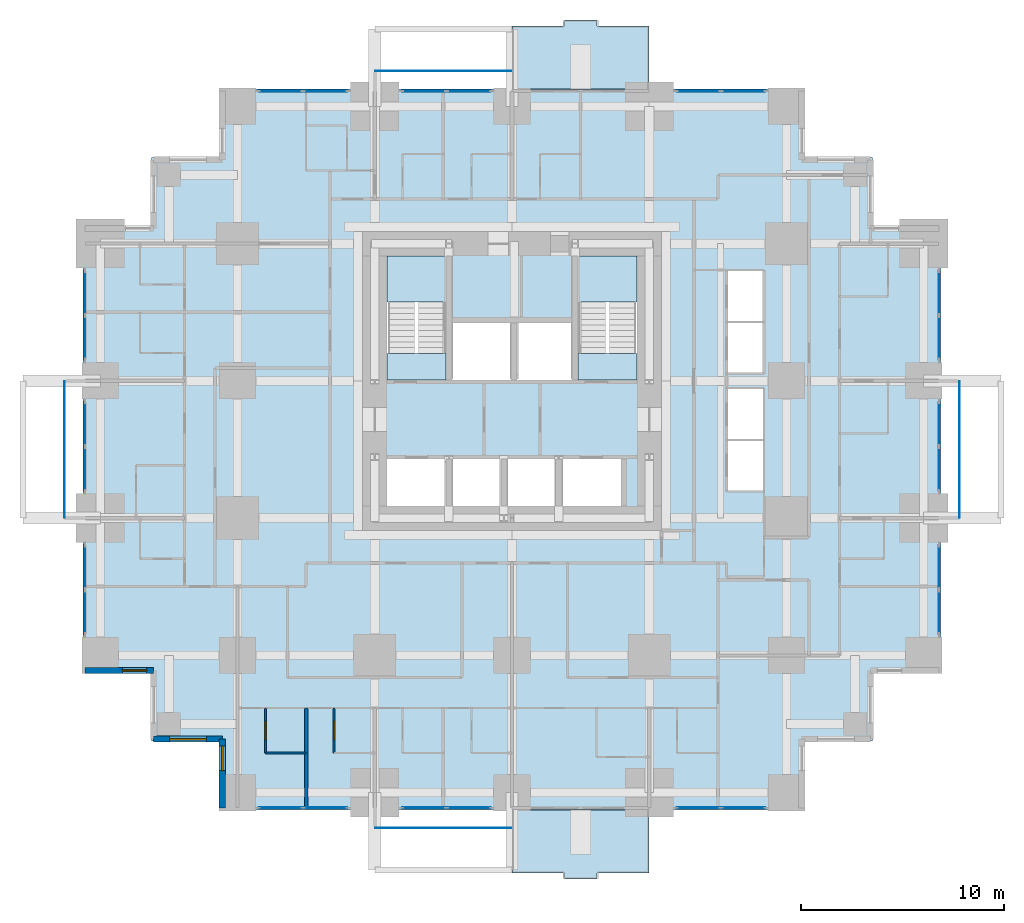
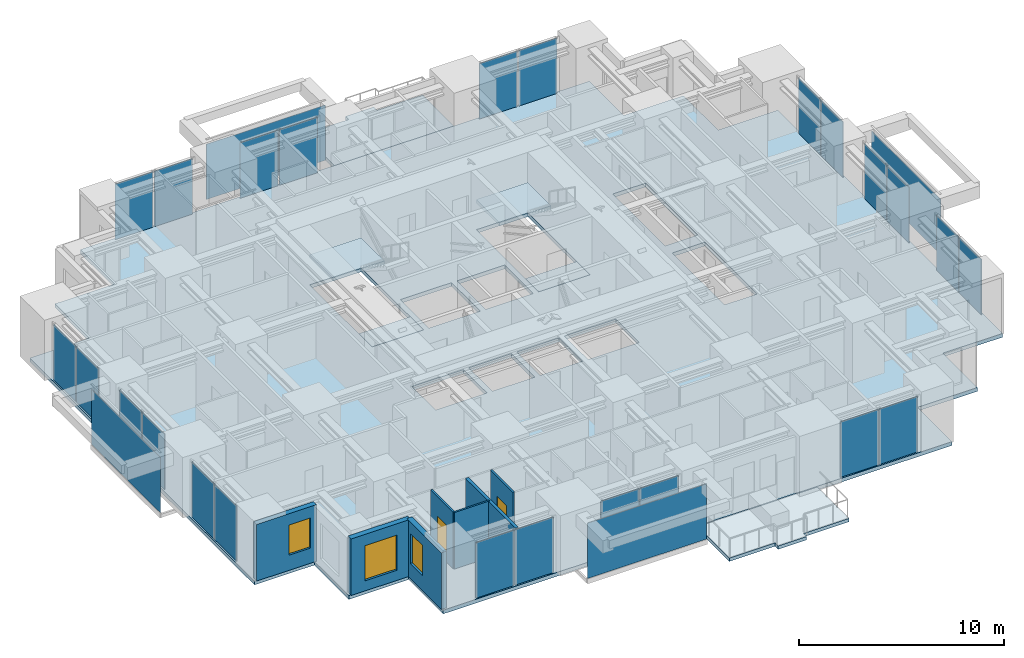
# One storey, part 6 of 13: 28 plates, 7 slabs, 7 walls, 3 windows, 2 doors, 5 openings, 14 elements without a shape of their own.
"""IFC4 building model written with IfcOpenShell, lengths in metres."""

import ifcopenshell
import ifcopenshell.guid

model = None  # the IFC model being written
_history = None  # IfcOwnerHistory: only IFC2X3 demands one
_inside = {}  # id of a spatial element -> (the spatial element, [elements in it])
_under = {}  # id of a project, library or spatial element -> (it, [spatial elements below it])
_declared = {}  # id of a project -> (the project, [libraries it declares])
_typed = {}  # id of a type object -> (the type object, [elements of that type])
_made_of = {}  # id of a material, layer set ... -> (it, [elements and type objects made of it])


def new_model(schema):
    """Start an empty IFC model of exactly this schema.

    Asked for "IFC4X3", IfcOpenShell would pick the latest addendum, in which some entities
    have other attributes; the version numbers below select the first issue.
    IFC2X3 requires an IfcOwnerHistory on every rooted entity: one is made here for all.
    """
    global model, _history
    if schema == "IFC4X3":
        model = ifcopenshell.file(schema_version=(4, 3, 0, 0))
    else:
        model = ifcopenshell.file(schema=schema)
    _inside.clear()
    _under.clear()
    _declared.clear()
    _typed.clear()
    _made_of.clear()
    _history = None
    if model.schema == "IFC2X3":
        org = make("IfcOrganization", Name="unknown")
        user = make(
            "IfcPersonAndOrganization",
            ThePerson=make("IfcPerson", FamilyName="unknown"),
            TheOrganization=org,
        )
        app = make(
            "IfcApplication",
            ApplicationDeveloper=org,
            Version="unknown",
            ApplicationFullName="unknown",
            ApplicationIdentifier="unknown",
        )
        _history = make(
            "IfcOwnerHistory",
            OwningUser=user,
            OwningApplication=app,
            ChangeAction="ADDED",
            CreationDate=0,
        )
    return model


def make(cls, **values):
    """One entity of the class cls with the attributes given. An attribute that is None is left unset."""
    return model.create_entity(
        cls, **{name: value for name, value in values.items() if value is not None}
    )


def rooted(cls, **values):
    """An entity with a GlobalId (a new one), such as an element, a storey or a relation."""
    return make(cls, GlobalId=ifcopenshell.guid.new(), OwnerHistory=_history, **values)


def si_unit(unit_type, name, prefix=None):
    """IfcSIUnit, for example si_unit("LENGTHUNIT", "METRE", prefix="MILLI")."""
    return make("IfcSIUnit", UnitType=unit_type, Prefix=prefix, Name=name)


def assignment(units):
    """IfcUnitAssignment: the units of a project."""
    return None if units is None else make("IfcUnitAssignment", Units=units)


def point(xyz):
    """IfcCartesianPoint."""
    return None if xyz is None else make("IfcCartesianPoint", Coordinates=xyz)


def direction(xyz):
    """IfcDirection."""
    return None if xyz is None else make("IfcDirection", DirectionRatios=xyz)


def frame(location, z_axis=None, x_axis=None):
    """IfcAxis2Placement3D, a coordinate frame: its origin and axes. An axis left out is left unset."""
    return make(
        "IfcAxis2Placement3D",
        Location=point(location),
        Axis=direction(z_axis),
        RefDirection=direction(x_axis),
    )


def frame_2d(location, x_axis=None):
    """IfcAxis2Placement2D, a coordinate frame in the plane: its origin and x axis."""
    return make(
        "IfcAxis2Placement2D", Location=point(location), RefDirection=direction(x_axis)
    )


def origin():
    """The frame at (0, 0, 0) with its axes left unset."""
    return frame((0.0, 0.0, 0.0))


def origin_2d():
    """The frame at (0, 0) in the plane with its x axis left unset."""
    return frame_2d((0.0, 0.0))


def place(relative_to, where):
    """IfcLocalPlacement: puts the frame where relative to a parent placement (None: the world)."""
    return make(
        "IfcLocalPlacement", PlacementRelTo=relative_to, RelativePlacement=where
    )


def context(
    kind, dimensions, precision=None, world=None, true_north=None, identifier=None
):
    """IfcGeometricRepresentationContext, for example the 3D "Model" context."""
    return make(
        "IfcGeometricRepresentationContext",
        ContextIdentifier=identifier,
        ContextType=kind,
        CoordinateSpaceDimension=dimensions,
        Precision=precision,
        WorldCoordinateSystem=world,
        TrueNorth=true_north,
    )


def subcontext(parent, identifier, kind, view, scale=None):
    """IfcGeometricRepresentationSubContext, for example "Body" below "Model"."""
    return make(
        "IfcGeometricRepresentationSubContext",
        ContextIdentifier=identifier,
        ContextType=kind,
        ParentContext=parent,
        TargetScale=scale,
        TargetView=view,
    )


def project(units=None, contexts=None):
    """IfcProject with its units and contexts."""
    return rooted(
        "IfcProject",
        Name="project",
        RepresentationContexts=contexts,
        UnitsInContext=assignment(units),
    )


def spatial(cls, under=None, at=None, **own):
    """A site, building, storey or space (cls), placed at a placement, below another one or the project."""
    s = rooted(cls, ObjectPlacement=at, **own)
    if under is not None:
        _under.setdefault(under.id(), (under, []))[1].append(s)
    return s


def polyline(points):
    """IfcPolyline through the points."""
    return make("IfcPolyline", Points=[point(p) for p in points])


def profile(cls, at=None, kind="AREA", **sizes):
    """A parametric profile (cls). Its sizes go by their IFC names, for example OverallWidth=200.0."""
    return make(cls, ProfileType=kind, Position=at, **sizes)


def rectangle(**sizes):
    """IfcRectangleProfileDef."""
    return profile("IfcRectangleProfileDef", **sizes)


def outline(outer, holes=None, kind="AREA"):
    """IfcArbitraryClosedProfileDef: a profile drawn as a closed curve; with holes, ...WithVoids."""
    if holes is None:
        return make("IfcArbitraryClosedProfileDef", ProfileType=kind, OuterCurve=outer)
    return make(
        "IfcArbitraryProfileDefWithVoids",
        ProfileType=kind,
        OuterCurve=outer,
        InnerCurves=holes,
    )


def extrude(swept, where, along, depth):
    """IfcExtrudedAreaSolid: the profile swept, set in the frame where, extruded along a direction by depth."""
    return make(
        "IfcExtrudedAreaSolid",
        SweptArea=swept,
        Position=where,
        ExtrudedDirection=direction(along),
        Depth=depth,
    )


def shape(context_of_items, identifier, shape_type, items):
    """IfcShapeRepresentation: the items that make up one representation, for example the "Body"."""
    return make(
        "IfcShapeRepresentation",
        ContextOfItems=context_of_items,
        RepresentationIdentifier=identifier,
        RepresentationType=shape_type,
        Items=items,
    )


def material(Name=None, Category=None):
    """IfcMaterial."""
    return make("IfcMaterial", Name=Name, Category=Category)


def layer(
    of_material, thickness, ventilated=None, Name=None, Category=None, Priority=None
):
    """IfcMaterialLayer: one layer of a wall or slab, of a material (None: an air gap)."""
    return make(
        "IfcMaterialLayer",
        Material=of_material,
        LayerThickness=thickness,
        IsVentilated=ventilated,
        Name=Name,
        Category=Category,
        Priority=Priority,
    )


def layer_set(layers, Name=None):
    """IfcMaterialLayerSet."""
    return make("IfcMaterialLayerSet", MaterialLayers=layers, LayerSetName=Name)


def made_of(thing, what):
    """Note that an element or type object is made of a material, layer set ...; save() writes the relation."""
    if what is not None:
        _made_of.setdefault(what.id(), (what, []))[1].append(thing)
    return thing


def type_object(cls, material=None, **own):
    """A type object (cls), such as IfcWallType, which elements share."""
    return made_of(rooted(cls, **own), material)


def element(
    cls,
    number,
    at=None,
    inside=None,
    cuts=None,
    type_object=None,
    material=None,
    context=None,
    identifier="Body",
    shape_type=None,
    held_by="IfcProductDefinitionShape",
    body=None,
    shapes=None,
    **own,
):
    """One element of the class cls, such as IfcWall. Its Tag is "e" and its number.

    at: its placement. inside: the storey or other place that contains it. cuts: it is an
    opening in that element (IfcRelVoidsElement). A single representation is given by context,
    identifier, shape_type and body (its items); several are given by shapes. held_by: the class
    of the entity that holds the representations. save() writes the other relations.
    """
    e = rooted(cls, Tag="e%d" % number, ObjectPlacement=at, **own)
    if body is not None:
        shapes = [shape(context, identifier, shape_type, body)]
    if shapes is not None:
        e.Representation = make(held_by, Representations=shapes)
    if inside is not None:
        _inside.setdefault(inside.id(), (inside, []))[1].append(e)
    if cuts is not None:
        rooted(
            "IfcRelVoidsElement", RelatingBuildingElement=cuts, RelatedOpeningElement=e
        )
    if type_object is not None:
        _typed.setdefault(type_object.id(), (type_object, []))[1].append(e)
    return made_of(e, material)


def fill(opening, filler):
    """IfcRelFillsElement: the door or window that sits in an opening."""
    return rooted(
        "IfcRelFillsElement",
        RelatingOpeningElement=opening,
        RelatedBuildingElement=filler,
    )


def aggregate(whole, parts):
    """IfcRelAggregates: a whole, such as a stair, and the parts it consists of."""
    return rooted("IfcRelAggregates", RelatingObject=whole, RelatedObjects=parts)


def save(model, path):
    """Write the relations noted so far, then the file.

    IfcRelAggregates (storeys below a building ...), IfcRelContainedInSpatialStructure (elements
    in a storey), IfcRelDefinesByType, IfcRelAssociatesMaterial and IfcRelDeclares: one each for
    every whole, place, type object, material and project.
    """
    for whole, parts in _under.values():
        aggregate(whole, parts)
    for where, things in _inside.values():
        rooted(
            "IfcRelContainedInSpatialStructure",
            RelatedElements=things,
            RelatingStructure=where,
        )
    for kind, things in _typed.values():
        rooted("IfcRelDefinesByType", RelatedObjects=things, RelatingType=kind)
    for what, things in _made_of.values():
        rooted("IfcRelAssociatesMaterial", RelatedObjects=things, RelatingMaterial=what)
    for by, libraries in _declared.values():
        rooted("IfcRelDeclares", RelatingContext=by, RelatedDefinitions=libraries)
    model.write(path)


model = new_model("IFC4")

# Units and contexts
model_context = context("Model", 3, precision=1e-05, world=origin(), true_north=direction((0.0, 1.0)))
body_context = subcontext(model_context, "Body", "Model", "MODEL_VIEW")
ifc_project = project(units=[si_unit("LENGTHUNIT", "METRE"), si_unit("AREAUNIT", "SQUARE_METRE"), si_unit("VOLUMEUNIT", "CUBIC_METRE"), si_unit("PLANEANGLEUNIT", "RADIAN"), si_unit("MASSUNIT", "GRAM", prefix="KILO")], contexts=[model_context])

# Site, building, storey
site_placement = place(None, origin())
site = spatial("IfcSite", under=ifc_project, at=site_placement, CompositionType="ELEMENT")
building_placement = place(site_placement, origin())
building = spatial("IfcBuilding", under=site, at=building_placement, Name="Nyansa Garden Tower", CompositionType="ELEMENT")
storey_placement = place(building_placement, frame((0.0, 0.0, 83.699951171875)))
storey = spatial("IfcBuildingStorey", under=building, at=storey_placement, Name="L22", CompositionType="ELEMENT", Elevation=83.699951171875)

# Slabs
ifc_material_1 = material(Name="Concrete C40/50", Category="concrete")
ifc_layer_1 = layer(ifc_material_1, 0.199951171875)
ifc_layer_set_1 = layer_set([ifc_layer_1], Name="Balcony slab BS200")
slab_type_1 = type_object("IfcSlabType", Name="Balcony slab BS200", PredefinedType="FLOOR", material=ifc_layer_set_1)
slab_1_placement = place(storey_placement, frame((0.0, 0.0, -0.239990234375)))
element("IfcSlab", 1, at=slab_1_placement, inside=storey, type_object=slab_type_1, Name="Balcony L22 S", PredefinedType="FLOOR", context=body_context, shape_type="SweptSolid", body=[
    extrude(outline(polyline([(20.25, -0.85009765625), (27.0, -0.85009765625), (27.0, -3.949951171875), (24.425048828125, -3.949951171875), (24.425048828125, -4.25), (22.824951171875, -4.25), (22.824951171875, -3.949951171875), (20.25, -3.949951171875), (20.25, -0.85009765625)])), origin(), (0.0, 0.0, 1.0), 0.199951171875),
])
slab_2_placement = place(storey_placement, frame((0.0, 0.0, -0.239990234375)))
element("IfcSlab", 2, at=slab_2_placement, inside=storey, type_object=slab_type_1, Name="Balcony L22 N", PredefinedType="FLOOR", context=body_context, shape_type="SweptSolid", body=[
    extrude(outline(polyline([(20.25, 34.60009765625), (27.0, 34.60009765625), (27.0, 37.699951171875), (24.425048828125, 37.699951171875), (24.425048828125, 38.0), (22.824951171875, 38.0), (22.824951171875, 37.699951171875), (20.25, 37.699951171875), (20.25, 34.60009765625)])), origin(), (0.0, 0.0, 1.0), 0.199951171875),
])

# Curtain wall, plates
ifc_material_2 = material(Name="Black anodised aluminium, dark tinted double glazing", Category="aluminium")
curtain_wall_type = type_object("IfcCurtainWallType", Name="Inner skin curtain wall ISW-B", PredefinedType="USERDEFINED", material=ifc_material_2)
curtain_wall_1_placement = place(storey_placement, origin())
curtain_wall_1 = element("IfcCurtainWall", 3, at=curtain_wall_1_placement, inside=storey, type_object=curtain_wall_type, Name="Inner skin curtain wall L22 E", ObjectType="UNITISED CURTAIN WALL", PredefinedType="USERDEFINED")
ifc_material_3 = material(Name="Dark tinted laminated double glazing", Category="glass")
ifc_layer_2 = layer(ifc_material_3, 0.035888671875)
ifc_layer_set_2 = layer_set([ifc_layer_2], Name="Dark tinted vision panel VP-B")
plate_type_1 = type_object("IfcPlateType", Name="Dark tinted vision panel VP-B", PredefinedType="CURTAIN_PANEL", material=ifc_layer_set_2)
plate_1_placement = place(storey_placement, frame((41.25, 8.86865234375, 0.0), z_axis=(0.0, 0.0, 1.0), x_axis=(0.0, 1.0, 0.0)))
plate_1 = element("IfcPlate", 4, at=plate_1_placement, type_object=plate_type_1, Name="ISW-B panel 1", PredefinedType="CURTAIN_PANEL", context=body_context, shape_type="SweptSolid", body=[
    extrude(rectangle(XDim=2.1474609375, YDim=0.035888671875, at=origin_2d()), origin(), (0.0, 0.0, 1.0), 3.31005859375),
])
plate_2_placement = place(storey_placement, frame((41.25, 11.081298828125, 0.0), z_axis=(0.0, 0.0, 1.0), x_axis=(0.0, 1.0, 0.0)))
plate_2 = element("IfcPlate", 5, at=plate_2_placement, type_object=plate_type_1, Name="ISW-B panel 2", PredefinedType="CURTAIN_PANEL", context=body_context, shape_type="SweptSolid", body=[
    extrude(rectangle(XDim=2.1474609375, YDim=0.035888671875, at=origin_2d()), origin(), (0.0, 0.0, 1.0), 3.31005859375),
])
aggregate(curtain_wall_1, [plate_1, plate_2])

curtain_wall_2_placement = place(storey_placement, origin())
curtain_wall_2 = element("IfcCurtainWall", 6, at=curtain_wall_2_placement, inside=storey, type_object=curtain_wall_type, Name="Inner skin curtain wall L22 E", ObjectType="UNITISED CURTAIN WALL", PredefinedType="USERDEFINED")
plate_3_placement = place(storey_placement, frame((41.25, 15.918701171875, 0.0), z_axis=(0.0, 0.0, 1.0), x_axis=(0.0, 1.0, 0.0)))
plate_3 = element("IfcPlate", 7, at=plate_3_placement, type_object=plate_type_1, Name="ISW-B panel 1", PredefinedType="CURTAIN_PANEL", context=body_context, shape_type="SweptSolid", body=[
    extrude(rectangle(XDim=2.1474609375, YDim=0.035888671875, at=origin_2d()), origin(), (0.0, 0.0, 1.0), 3.31005859375),
])
plate_4_placement = place(storey_placement, frame((41.25, 18.13134765625, 0.0), z_axis=(0.0, 0.0, 1.0), x_axis=(0.0, 1.0, 0.0)))
plate_4 = element("IfcPlate", 8, at=plate_4_placement, type_object=plate_type_1, Name="ISW-B panel 2", PredefinedType="CURTAIN_PANEL", context=body_context, shape_type="SweptSolid", body=[
    extrude(rectangle(XDim=2.1474609375, YDim=0.035888671875, at=origin_2d()), origin(), (0.0, 0.0, 1.0), 3.31005859375),
])
aggregate(curtain_wall_2, [plate_3, plate_4])

curtain_wall_3_placement = place(storey_placement, origin())
curtain_wall_3 = element("IfcCurtainWall", 9, at=curtain_wall_3_placement, inside=storey, type_object=curtain_wall_type, Name="Inner skin curtain wall L22 E", ObjectType="UNITISED CURTAIN WALL", PredefinedType="USERDEFINED")
plate_5_placement = place(storey_placement, frame((41.25, 22.36865234375, 0.0), z_axis=(0.0, 0.0, 1.0), x_axis=(0.0, 1.0, 0.0)))
plate_5 = element("IfcPlate", 10, at=plate_5_placement, type_object=plate_type_1, Name="ISW-B panel 1", PredefinedType="CURTAIN_PANEL", context=body_context, shape_type="SweptSolid", body=[
    extrude(rectangle(XDim=2.1474609375, YDim=0.035888671875, at=origin_2d()), origin(), (0.0, 0.0, 1.0), 3.31005859375),
])
plate_6_placement = place(storey_placement, frame((41.25, 24.581298828125, 0.0), z_axis=(0.0, 0.0, 1.0), x_axis=(0.0, 1.0, 0.0)))
plate_6 = element("IfcPlate", 11, at=plate_6_placement, type_object=plate_type_1, Name="ISW-B panel 2", PredefinedType="CURTAIN_PANEL", context=body_context, shape_type="SweptSolid", body=[
    extrude(rectangle(XDim=2.1474609375, YDim=0.035888671875, at=origin_2d()), origin(), (0.0, 0.0, 1.0), 3.31005859375),
])
aggregate(curtain_wall_3, [plate_5, plate_6])

curtain_wall_4_placement = place(storey_placement, origin())
curtain_wall_4 = element("IfcCurtainWall", 12, at=curtain_wall_4_placement, inside=storey, type_object=curtain_wall_type, Name="Inner skin curtain wall L22 N", ObjectType="UNITISED CURTAIN WALL", PredefinedType="USERDEFINED")
plate_7_placement = place(storey_placement, frame((18.13134765625, 34.5, 0.0), z_axis=(0.0, 0.0, 1.0), x_axis=(-1.0, 0.0, 0.0)))
plate_7 = element("IfcPlate", 13, at=plate_7_placement, type_object=plate_type_1, Name="ISW-B panel 1", PredefinedType="CURTAIN_PANEL", context=body_context, shape_type="SweptSolid", body=[
    extrude(rectangle(XDim=2.1474609375, YDim=0.035888671875, at=origin_2d()), origin(), (0.0, 0.0, 1.0), 3.31005859375),
])
plate_8_placement = place(storey_placement, frame((15.918701171875, 34.5, 0.0), z_axis=(0.0, 0.0, 1.0), x_axis=(-1.0, 0.0, 0.0)))
plate_8 = element("IfcPlate", 14, at=plate_8_placement, type_object=plate_type_1, Name="ISW-B panel 2", PredefinedType="CURTAIN_PANEL", context=body_context, shape_type="SweptSolid", body=[
    extrude(rectangle(XDim=2.1474609375, YDim=0.035888671875, at=origin_2d()), origin(), (0.0, 0.0, 1.0), 3.31005859375),
])
aggregate(curtain_wall_4, [plate_7, plate_8])

curtain_wall_5_placement = place(storey_placement, origin())
curtain_wall_5 = element("IfcCurtainWall", 15, at=curtain_wall_5_placement, inside=storey, type_object=curtain_wall_type, Name="Inner skin curtain wall L22 N", ObjectType="UNITISED CURTAIN WALL", PredefinedType="USERDEFINED")
plate_9_placement = place(storey_placement, frame((11.081298828125, 34.5, 0.0), z_axis=(0.0, 0.0, 1.0), x_axis=(-1.0, 0.0, 0.0)))
plate_9 = element("IfcPlate", 16, at=plate_9_placement, type_object=plate_type_1, Name="ISW-B panel 1", PredefinedType="CURTAIN_PANEL", context=body_context, shape_type="SweptSolid", body=[
    extrude(rectangle(XDim=2.1474609375, YDim=0.035888671875, at=origin_2d()), origin(), (0.0, 0.0, 1.0), 3.31005859375),
])
plate_10_placement = place(storey_placement, frame((8.86865234375, 34.5, 0.0), z_axis=(0.0, 0.0, 1.0), x_axis=(-1.0, 0.0, 0.0)))
plate_10 = element("IfcPlate", 17, at=plate_10_placement, type_object=plate_type_1, Name="ISW-B panel 2", PredefinedType="CURTAIN_PANEL", context=body_context, shape_type="SweptSolid", body=[
    extrude(rectangle(XDim=2.1474609375, YDim=0.035888671875, at=origin_2d()), origin(), (0.0, 0.0, 1.0), 3.31005859375),
])
aggregate(curtain_wall_5, [plate_9, plate_10])

curtain_wall_6_placement = place(storey_placement, origin())
curtain_wall_6 = element("IfcCurtainWall", 18, at=curtain_wall_6_placement, inside=storey, type_object=curtain_wall_type, Name="Inner skin curtain wall L22 N", ObjectType="UNITISED CURTAIN WALL", PredefinedType="USERDEFINED")
plate_11_placement = place(storey_placement, frame((31.63134765625, 34.5, 0.0), z_axis=(0.0, 0.0, 1.0), x_axis=(-1.0, 0.0, 0.0)))
plate_11 = element("IfcPlate", 19, at=plate_11_placement, type_object=plate_type_1, Name="ISW-B panel 1", PredefinedType="CURTAIN_PANEL", context=body_context, shape_type="SweptSolid", body=[
    extrude(rectangle(XDim=2.1474609375, YDim=0.035888671875, at=origin_2d()), origin(), (0.0, 0.0, 1.0), 3.31005859375),
])
plate_12_placement = place(storey_placement, frame((29.418701171875, 34.5, 0.0), z_axis=(0.0, 0.0, 1.0), x_axis=(-1.0, 0.0, 0.0)))
plate_12 = element("IfcPlate", 20, at=plate_12_placement, type_object=plate_type_1, Name="ISW-B panel 2", PredefinedType="CURTAIN_PANEL", context=body_context, shape_type="SweptSolid", body=[
    extrude(rectangle(XDim=2.1474609375, YDim=0.035888671875, at=origin_2d()), origin(), (0.0, 0.0, 1.0), 3.31005859375),
])
aggregate(curtain_wall_6, [plate_11, plate_12])

curtain_wall_7_placement = place(storey_placement, origin())
curtain_wall_7 = element("IfcCurtainWall", 21, at=curtain_wall_7_placement, inside=storey, type_object=curtain_wall_type, Name="Inner skin curtain wall L22 W", ObjectType="UNITISED CURTAIN WALL", PredefinedType="USERDEFINED")
plate_13_placement = place(storey_placement, frame((-0.75, 24.581298828125, 0.0), z_axis=(0.0, 0.0, 1.0), x_axis=(0.0, -1.0, 0.0)))
plate_13 = element("IfcPlate", 22, at=plate_13_placement, type_object=plate_type_1, Name="ISW-B panel 1", PredefinedType="CURTAIN_PANEL", context=body_context, shape_type="SweptSolid", body=[
    extrude(rectangle(XDim=2.1474609375, YDim=0.035888671875, at=origin_2d()), origin(), (0.0, 0.0, 1.0), 3.31005859375),
])
plate_14_placement = place(storey_placement, frame((-0.75, 22.36865234375, 0.0), z_axis=(0.0, 0.0, 1.0), x_axis=(0.0, -1.0, 0.0)))
plate_14 = element("IfcPlate", 23, at=plate_14_placement, type_object=plate_type_1, Name="ISW-B panel 2", PredefinedType="CURTAIN_PANEL", context=body_context, shape_type="SweptSolid", body=[
    extrude(rectangle(XDim=2.1474609375, YDim=0.035888671875, at=origin_2d()), origin(), (0.0, 0.0, 1.0), 3.31005859375),
])
aggregate(curtain_wall_7, [plate_13, plate_14])

curtain_wall_8_placement = place(storey_placement, origin())
curtain_wall_8 = element("IfcCurtainWall", 24, at=curtain_wall_8_placement, inside=storey, type_object=curtain_wall_type, Name="Inner skin curtain wall L22 W", ObjectType="UNITISED CURTAIN WALL", PredefinedType="USERDEFINED")
plate_15_placement = place(storey_placement, frame((-0.75, 18.13134765625, 0.0), z_axis=(0.0, 0.0, 1.0), x_axis=(0.0, -1.0, 0.0)))
plate_15 = element("IfcPlate", 25, at=plate_15_placement, type_object=plate_type_1, Name="ISW-B panel 1", PredefinedType="CURTAIN_PANEL", context=body_context, shape_type="SweptSolid", body=[
    extrude(rectangle(XDim=2.1474609375, YDim=0.035888671875, at=origin_2d()), origin(), (0.0, 0.0, 1.0), 3.31005859375),
])
plate_16_placement = place(storey_placement, frame((-0.75, 15.918701171875, 0.0), z_axis=(0.0, 0.0, 1.0), x_axis=(0.0, -1.0, 0.0)))
plate_16 = element("IfcPlate", 26, at=plate_16_placement, type_object=plate_type_1, Name="ISW-B panel 2", PredefinedType="CURTAIN_PANEL", context=body_context, shape_type="SweptSolid", body=[
    extrude(rectangle(XDim=2.1474609375, YDim=0.035888671875, at=origin_2d()), origin(), (0.0, 0.0, 1.0), 3.31005859375),
])
aggregate(curtain_wall_8, [plate_15, plate_16])

curtain_wall_9_placement = place(storey_placement, origin())
curtain_wall_9 = element("IfcCurtainWall", 27, at=curtain_wall_9_placement, inside=storey, type_object=curtain_wall_type, Name="Inner skin curtain wall L22 W", ObjectType="UNITISED CURTAIN WALL", PredefinedType="USERDEFINED")
plate_17_placement = place(storey_placement, frame((-0.75, 11.081298828125, 0.0), z_axis=(0.0, 0.0, 1.0), x_axis=(0.0, -1.0, 0.0)))
plate_17 = element("IfcPlate", 28, at=plate_17_placement, type_object=plate_type_1, Name="ISW-B panel 1", PredefinedType="CURTAIN_PANEL", context=body_context, shape_type="SweptSolid", body=[
    extrude(rectangle(XDim=2.1474609375, YDim=0.035888671875, at=origin_2d()), origin(), (0.0, 0.0, 1.0), 3.31005859375),
])
plate_18_placement = place(storey_placement, frame((-0.75, 8.86865234375, 0.0), z_axis=(0.0, 0.0, 1.0), x_axis=(0.0, -1.0, 0.0)))
plate_18 = element("IfcPlate", 29, at=plate_18_placement, type_object=plate_type_1, Name="ISW-B panel 2", PredefinedType="CURTAIN_PANEL", context=body_context, shape_type="SweptSolid", body=[
    extrude(rectangle(XDim=2.1474609375, YDim=0.035888671875, at=origin_2d()), origin(), (0.0, 0.0, 1.0), 3.31005859375),
])
aggregate(curtain_wall_9, [plate_17, plate_18])

curtain_wall_10_placement = place(storey_placement, origin())
curtain_wall_10 = element("IfcCurtainWall", 30, at=curtain_wall_10_placement, inside=storey, type_object=curtain_wall_type, Name="Inner skin curtain wall L22 S", ObjectType="UNITISED CURTAIN WALL", PredefinedType="USERDEFINED")
plate_19_placement = place(storey_placement, frame((8.86865234375, -0.75, 0.0), z_axis=(0.0, 0.0, 1.0), x_axis=(1.0, 0.0, 0.0)))
plate_19 = element("IfcPlate", 31, at=plate_19_placement, type_object=plate_type_1, Name="ISW-B panel 1", PredefinedType="CURTAIN_PANEL", context=body_context, shape_type="SweptSolid", body=[
    extrude(rectangle(XDim=2.1474609375, YDim=0.035888671875, at=origin_2d()), origin(), (0.0, 0.0, 1.0), 3.31005859375),
])
plate_20_placement = place(storey_placement, frame((11.081298828125, -0.75, 0.0), z_axis=(0.0, 0.0, 1.0), x_axis=(1.0, 0.0, 0.0)))
plate_20 = element("IfcPlate", 32, at=plate_20_placement, type_object=plate_type_1, Name="ISW-B panel 2", PredefinedType="CURTAIN_PANEL", context=body_context, shape_type="SweptSolid", body=[
    extrude(rectangle(XDim=2.1474609375, YDim=0.035888671875, at=origin_2d()), origin(), (0.0, 0.0, 1.0), 3.31005859375),
])
aggregate(curtain_wall_10, [plate_19, plate_20])

curtain_wall_11_placement = place(storey_placement, origin())
curtain_wall_11 = element("IfcCurtainWall", 33, at=curtain_wall_11_placement, inside=storey, type_object=curtain_wall_type, Name="Inner skin curtain wall L22 S", ObjectType="UNITISED CURTAIN WALL", PredefinedType="USERDEFINED")
plate_21_placement = place(storey_placement, frame((15.918701171875, -0.75, 0.0), z_axis=(0.0, 0.0, 1.0), x_axis=(1.0, 0.0, 0.0)))
plate_21 = element("IfcPlate", 34, at=plate_21_placement, type_object=plate_type_1, Name="ISW-B panel 1", PredefinedType="CURTAIN_PANEL", context=body_context, shape_type="SweptSolid", body=[
    extrude(rectangle(XDim=2.1474609375, YDim=0.035888671875, at=origin_2d()), origin(), (0.0, 0.0, 1.0), 3.31005859375),
])
plate_22_placement = place(storey_placement, frame((18.13134765625, -0.75, 0.0), z_axis=(0.0, 0.0, 1.0), x_axis=(1.0, 0.0, 0.0)))
plate_22 = element("IfcPlate", 35, at=plate_22_placement, type_object=plate_type_1, Name="ISW-B panel 2", PredefinedType="CURTAIN_PANEL", context=body_context, shape_type="SweptSolid", body=[
    extrude(rectangle(XDim=2.1474609375, YDim=0.035888671875, at=origin_2d()), origin(), (0.0, 0.0, 1.0), 3.31005859375),
])
aggregate(curtain_wall_11, [plate_21, plate_22])

curtain_wall_12_placement = place(storey_placement, origin())
curtain_wall_12 = element("IfcCurtainWall", 36, at=curtain_wall_12_placement, inside=storey, type_object=curtain_wall_type, Name="Inner skin curtain wall L22 S", ObjectType="UNITISED CURTAIN WALL", PredefinedType="USERDEFINED")
plate_23_placement = place(storey_placement, frame((29.418701171875, -0.75, 0.0), z_axis=(0.0, 0.0, 1.0), x_axis=(1.0, 0.0, 0.0)))
plate_23 = element("IfcPlate", 37, at=plate_23_placement, type_object=plate_type_1, Name="ISW-B panel 1", PredefinedType="CURTAIN_PANEL", context=body_context, shape_type="SweptSolid", body=[
    extrude(rectangle(XDim=2.1474609375, YDim=0.035888671875, at=origin_2d()), origin(), (0.0, 0.0, 1.0), 3.31005859375),
])
plate_24_placement = place(storey_placement, frame((31.63134765625, -0.75, 0.0), z_axis=(0.0, 0.0, 1.0), x_axis=(1.0, 0.0, 0.0)))
plate_24 = element("IfcPlate", 38, at=plate_24_placement, type_object=plate_type_1, Name="ISW-B panel 2", PredefinedType="CURTAIN_PANEL", context=body_context, shape_type="SweptSolid", body=[
    extrude(rectangle(XDim=2.1474609375, YDim=0.035888671875, at=origin_2d()), origin(), (0.0, 0.0, 1.0), 3.31005859375),
])
aggregate(curtain_wall_12, [plate_23, plate_24])

# Slab
ifc_material_4 = material(Name="Concrete C40/50", Category="concrete")
ifc_layer_3 = layer(ifc_material_4, 0.22509765625)
ifc_layer_set_3 = layer_set([ifc_layer_3], Name="Floor slab FS225")
slab_type_2 = type_object("IfcSlabType", Name="Floor slab FS225", PredefinedType="FLOOR", material=ifc_layer_set_3)
slab_3_placement = place(storey_placement, frame((0.0, 0.0, -0.224853515625)))
element("IfcSlab", 39, at=slab_3_placement, inside=storey, type_object=slab_type_2, Name="Floor slab L22", PredefinedType="FLOOR", context=body_context, shape_type="SweptSolid", body=[
    extrude(outline(polyline([(41.35009765625, 5.89990234375), (37.97509765625, 5.89990234375), (37.97509765625, 2.52490234375), (34.60009765625, 2.52490234375), (34.60009765625, -0.85009765625), (5.89990234375, -0.85009765625), (5.89990234375, 2.52490234375), (2.52490234375, 2.52490234375), (2.52490234375, 5.89990234375), (-0.85009765625, 5.89990234375), (-0.85009765625, 27.85009765625), (2.52490234375, 27.85009765625), (2.52490234375, 31.22509765625), (5.89990234375, 31.22509765625), (5.89990234375, 34.60009765625), (34.60009765625, 34.60009765625), (34.60009765625, 31.22509765625), (37.97509765625, 31.22509765625), (37.97509765625, 27.85009765625), (41.35009765625, 27.85009765625), (41.35009765625, 5.89990234375)]), holes=[polyline([(14.10009765625, 14.10009765625), (17.0, 14.10009765625), (17.0, 16.39990234375), (14.10009765625, 16.39990234375), (14.10009765625, 14.10009765625)]), polyline([(17.300048828125, 14.10009765625), (19.699951171875, 14.10009765625), (19.699951171875, 16.39990234375), (17.300048828125, 16.39990234375), (17.300048828125, 14.10009765625)]), polyline([(20.0, 14.10009765625), (22.39990234375, 14.10009765625), (22.39990234375, 16.39990234375), (20.0, 16.39990234375), (20.0, 14.10009765625)]), polyline([(22.699951171875, 14.10009765625), (25.60009765625, 14.10009765625), (25.60009765625, 16.39990234375), (22.699951171875, 16.39990234375), (22.699951171875, 14.10009765625)]), polyline([(17.300048828125, 20.300048828125), (20.199951171875, 20.300048828125), (20.199951171875, 23.10009765625), (17.300048828125, 23.10009765625), (17.300048828125, 20.300048828125)]), polyline([(20.5, 20.300048828125), (23.199951171875, 20.300048828125), (23.199951171875, 23.10009765625), (20.5, 23.10009765625), (20.5, 20.300048828125)]), polyline([(30.800048828125, 14.800048828125), (32.64990234375, 14.800048828125), (32.64990234375, 19.89990234375), (30.800048828125, 19.89990234375), (30.800048828125, 14.800048828125)]), polyline([(30.800048828125, 20.60009765625), (32.64990234375, 20.60009765625), (32.64990234375, 25.699951171875), (30.800048828125, 25.699951171875), (30.800048828125, 20.60009765625)]), polyline([(14.10009765625, 20.300048828125), (17.0, 20.300048828125), (17.0, 26.39990234375), (14.10009765625, 26.39990234375), (14.10009765625, 20.300048828125)]), polyline([(23.5, 20.300048828125), (26.39990234375, 20.300048828125), (26.39990234375, 26.39990234375), (23.5, 26.39990234375), (23.5, 20.300048828125)])]), origin(), (0.0, 0.0, 1.0), 0.224853515625),
])

# Plates
ifc_material_5 = material(Name="Dark tinted laminated glass", Category="glass")
ifc_layer_4 = layer(ifc_material_5, 0.02392578125)
ifc_layer_set_4 = layer_set([ifc_layer_4], Name="Outer skin glass panel OS1")
plate_type_2 = type_object("IfcPlateType", Name="Outer skin glass panel OS1", PredefinedType="USERDEFINED", material=ifc_layer_set_4)
for number, where, z_axis, x_axis, name in (
    (40, (42.25, 16.875, -0.22509765625), (0.0, 0.0, 1.0), (0.0, 1.0, 0.0), "Outer skin glass panel L22"),
    (41, (16.875, 35.5, -0.22509765625), (0.0, 0.0, 1.0), (1.0, 0.0, 0.0), "Outer skin glass panel L22"),
    (42, (-1.75, 16.875, -0.22509765625), (0.0, 0.0, 1.0), (0.0, 1.0, 0.0), "Outer skin glass panel L22"),
    (43, (16.875, -1.75, -0.22509765625), (0.0, 0.0, 1.0), (1.0, 0.0, 0.0), "Outer skin glass panel L22"),
):
    element("IfcPlate", number, at=place(storey_placement, frame(where, z_axis=z_axis, x_axis=x_axis)), inside=storey, type_object=plate_type_2, Name=name, ObjectType="OUTER SKIN GLASS", PredefinedType="USERDEFINED", context=body_context, shape_type="SweptSolid", body=[
        extrude(rectangle(XDim=6.7099609375, YDim=0.02392578125, at=origin_2d()), origin(), (0.0, 0.0, 1.0), 3.300048828125),
    ])

# Stair, slabs
ifc_material_6 = material(Name="Precast concrete C40/50", Category="concrete")
stair_type_1 = type_object("IfcStairType", Name="Stair S1 180x280", PredefinedType="HALF_TURN_STAIR", material=ifc_material_6)
stair_1_placement = place(storey_placement, origin())
stair_1 = element("IfcStair", 44, at=stair_1_placement, inside=storey, type_object=stair_type_1, Name="Stair S1 L22", PredefinedType="HALF_TURN_STAIR")
ifc_material_7 = material(Name="Concrete C40/50", Category="concrete")
ifc_layer_5 = layer(ifc_material_7, 0.199951171875)
ifc_layer_set_5 = layer_set([ifc_layer_5], Name="Stair landing SL200")
slab_type_3 = type_object("IfcSlabType", Name="Stair landing SL200", PredefinedType="LANDING", material=ifc_layer_set_5)
slab_4_placement = place(storey_placement, frame((0.0, 0.0, -0.199951171875)))
slab_4 = element("IfcSlab", 45, at=slab_4_placement, type_object=slab_type_3, Name="S1 landing 1", PredefinedType="LANDING", context=body_context, shape_type="SweptSolid", body=[
    extrude(outline(polyline([(14.10009765625, 20.300048828125), (17.0, 20.300048828125), (17.0, 21.60009765625), (14.10009765625, 21.60009765625), (14.10009765625, 20.300048828125)])), origin(), (0.0, 0.0, 1.0), 0.199951171875),
])
slab_5_placement = place(storey_placement, frame((0.0, 0.0, 1.60009765625)))
slab_5 = element("IfcSlab", 46, at=slab_5_placement, type_object=slab_type_3, Name="S1 landing 2", PredefinedType="LANDING", context=body_context, shape_type="SweptSolid", body=[
    extrude(outline(polyline([(14.10009765625, 24.1201171875), (17.0, 24.1201171875), (17.0, 26.39990234375), (14.10009765625, 26.39990234375), (14.10009765625, 24.1201171875)])), origin(), (0.0, 0.0, 1.0), 0.199951171875),
])
aggregate(stair_1, [slab_4, slab_5])

ifc_material_8 = material(Name="Precast concrete C40/50", Category="concrete")
stair_type_2 = type_object("IfcStairType", Name="Stair S2 180x280", PredefinedType="HALF_TURN_STAIR", material=ifc_material_8)
stair_2_placement = place(storey_placement, origin())
stair_2 = element("IfcStair", 47, at=stair_2_placement, inside=storey, type_object=stair_type_2, Name="Stair S2 L22", PredefinedType="HALF_TURN_STAIR")
slab_6_placement = place(storey_placement, frame((0.0, 0.0, -0.199951171875)))
slab_6 = element("IfcSlab", 48, at=slab_6_placement, type_object=slab_type_3, Name="S2 landing 1", PredefinedType="LANDING", context=body_context, shape_type="SweptSolid", body=[
    extrude(outline(polyline([(23.5, 20.300048828125), (26.39990234375, 20.300048828125), (26.39990234375, 21.60009765625), (23.5, 21.60009765625), (23.5, 20.300048828125)])), origin(), (0.0, 0.0, 1.0), 0.199951171875),
])
slab_7_placement = place(storey_placement, frame((0.0, 0.0, 1.60009765625)))
slab_7 = element("IfcSlab", 49, at=slab_7_placement, type_object=slab_type_3, Name="S2 landing 2", PredefinedType="LANDING", context=body_context, shape_type="SweptSolid", body=[
    extrude(outline(polyline([(23.5, 24.1201171875), (26.39990234375, 24.1201171875), (26.39990234375, 26.39990234375), (23.5, 26.39990234375), (23.5, 24.1201171875)])), origin(), (0.0, 0.0, 1.0), 0.199951171875),
])
aggregate(stair_2, [slab_6, slab_7])

# Wall
ifc_material_9 = material(Name="Dense blockwork, plastered both sides, 55 dB", Category="masonry")
ifc_layer_6 = layer(ifc_material_9, 0.175048828125)
ifc_layer_set_6 = layer_set([ifc_layer_6], Name="Acoustic party wall PW175")
wall_type_1 = type_object("IfcWallType", Name="Acoustic party wall PW175", PredefinedType="PARTITIONING", material=ifc_layer_set_6)
wall_1_placement = place(storey_placement, frame((10.125, -0.73388671875, 0.0), z_axis=(0.0, 0.0, 1.0), x_axis=(0.0, 1.0, 0.0)))
element("IfcWall", 50, at=wall_1_placement, inside=storey, type_object=wall_type_1, Name="Party wall", PredefinedType="PARTITIONING", context=body_context, shape_type="SweptSolid", body=[
    extrude(rectangle(XDim=4.8837890625, YDim=0.175048828125, at=frame_2d((2.44189453125, 0.0))), origin(), (0.0, 0.0, 1.0), 3.375),
])

# Wall, opening, window
ifc_material_10 = material(Name="Turquoise glazed tile on concrete blockwork", Category="masonry")
ifc_layer_7 = layer(ifc_material_10, 0.300048828125)
ifc_layer_set_7 = layer_set([ifc_layer_7], Name="Tiled corner wall TW300")
wall_type_2 = type_object("IfcWallType", Name="Tiled corner wall TW300", PredefinedType="SOLIDWALL", material=ifc_layer_set_7)
wall_2_placement = place(storey_placement, frame((-0.75, 6.0, 0.0), z_axis=(0.0, 0.0, 1.0), x_axis=(1.0, 0.0, 0.0)))
wall_2 = element("IfcWall", 51, at=wall_2_placement, inside=storey, type_object=wall_type_2, Name="Tiled corner wall L22", PredefinedType="SOLIDWALL", context=body_context, shape_type="SweptSolid", body=[
    extrude(rectangle(XDim=3.375, YDim=0.300048828125, at=frame_2d((1.6875, 0.0))), origin(), (0.0, 0.0, 1.0), 3.375),
])
opening_1_placement = place(wall_2_placement, frame((1.83251953125, 0.0, 0.89990234375)))
opening_1 = element("IfcOpeningElement", 52, at=opening_1_placement, cuts=wall_2, Name="Opening W4", PredefinedType="OPENING", context=body_context, shape_type="SweptSolid", body=[
    extrude(rectangle(XDim=1.199951171875, YDim=1.800048828125, at=frame_2d((0.60009765625, 0.89990234375))), frame((0.0, 0.159912109375, 0.0), z_axis=(0.0, -1.0, 0.0), x_axis=(1.0, 0.0, 0.0)), (0.0, 0.0, 1.0), 0.320068359375),
])
ifc_material_11 = material(Name="Black aluminium frame, dark tinted double glazing", Category="aluminium")
window_type_1 = type_object("IfcWindowType", Name="Window W4 1200x1800", PartitioningType="SINGLE_PANEL", PredefinedType="WINDOW", material=ifc_material_11)
window_1_placement = place(opening_1_placement, origin())
window_1 = element("IfcWindow", 53, at=window_1_placement, inside=storey, type_object=window_type_1, Name="Corner window L22", OverallHeight=1.800048828125, OverallWidth=1.199951171875, PartitioningType="SINGLE_PANEL", PredefinedType="WINDOW", context=body_context, shape_type="SweptSolid", body=[
    extrude(rectangle(XDim=1.199951171875, YDim=1.800048828125, at=frame_2d((0.60009765625, 0.89990234375))), frame((0.0, 0.030029296875, 0.0), z_axis=(0.0, -1.0, 0.0), x_axis=(1.0, 0.0, 0.0)), (0.0, 0.0, 1.0), 0.06005859375),
])
fill(opening_1, window_1)

wall_3_placement = place(storey_placement, frame((2.625, 2.625, 0.0), z_axis=(0.0, 0.0, 1.0), x_axis=(1.0, 0.0, 0.0)))
wall_3 = element("IfcWall", 54, at=wall_3_placement, inside=storey, type_object=wall_type_2, Name="Tiled corner wall L22", PredefinedType="SOLIDWALL", context=body_context, shape_type="SweptSolid", body=[
    extrude(rectangle(XDim=3.375, YDim=0.300048828125, at=frame_2d((1.6875, 0.0))), origin(), (0.0, 0.0, 1.0), 3.375),
])
opening_2_placement = place(wall_3_placement, frame((0.78759765625, 0.0, 0.60009765625)))
opening_2 = element("IfcOpeningElement", 55, at=opening_2_placement, cuts=wall_3, Name="Opening W2", PredefinedType="OPENING", context=body_context, shape_type="SweptSolid", body=[
    extrude(rectangle(XDim=1.800048828125, YDim=2.10009765625, at=frame_2d((0.89990234375, 1.050048828125))), frame((0.0, 0.159912109375, 0.0), z_axis=(0.0, -1.0, 0.0), x_axis=(1.0, 0.0, 0.0)), (0.0, 0.0, 1.0), 0.320068359375),
])
ifc_material_12 = material(Name="Black aluminium frame, dark tinted double glazing", Category="aluminium")
window_type_2 = type_object("IfcWindowType", Name="Window W2 1800x2100", PartitioningType="SINGLE_PANEL", PredefinedType="WINDOW", material=ifc_material_12)
window_2_placement = place(opening_2_placement, origin())
window_2 = element("IfcWindow", 56, at=window_2_placement, inside=storey, type_object=window_type_2, Name="Corner window L22", OverallHeight=2.10009765625, OverallWidth=1.800048828125, PartitioningType="SINGLE_PANEL", PredefinedType="WINDOW", context=body_context, shape_type="SweptSolid", body=[
    extrude(rectangle(XDim=1.800048828125, YDim=2.10009765625, at=frame_2d((0.89990234375, 1.050048828125))), frame((0.0, 0.030029296875, 0.0), z_axis=(0.0, -1.0, 0.0), x_axis=(1.0, 0.0, 0.0)), (0.0, 0.0, 1.0), 0.06005859375),
])
fill(opening_2, window_2)

wall_4_placement = place(storey_placement, frame((6.0, 2.625, 0.0), z_axis=(0.0, 0.0, 1.0), x_axis=(0.0, -1.0, 0.0)))
wall_4 = element("IfcWall", 57, at=wall_4_placement, inside=storey, type_object=wall_type_2, Name="Tiled corner wall L22", PredefinedType="SOLIDWALL", context=body_context, shape_type="SweptSolid", body=[
    extrude(rectangle(XDim=3.375, YDim=0.300048828125, at=frame_2d((1.6875, 0.0))), origin(), (0.0, 0.0, 1.0), 3.375),
])
opening_3_placement = place(wall_4_placement, frame((0.342529296875, 0.0, 0.89990234375)))
opening_3 = element("IfcOpeningElement", 58, at=opening_3_placement, cuts=wall_4, Name="Opening W4", PredefinedType="OPENING", context=body_context, shape_type="SweptSolid", body=[
    extrude(rectangle(XDim=1.199951171875, YDim=1.800048828125, at=frame_2d((0.60009765625, 0.89990234375))), frame((0.0, 0.159912109375, 0.0), z_axis=(0.0, -1.0, 0.0), x_axis=(1.0, 0.0, 0.0)), (0.0, 0.0, 1.0), 0.320068359375),
])
window_3_placement = place(opening_3_placement, origin())
window_3 = element("IfcWindow", 59, at=window_3_placement, inside=storey, type_object=window_type_1, Name="Corner window L22", OverallHeight=1.800048828125, OverallWidth=1.199951171875, PartitioningType="SINGLE_PANEL", PredefinedType="WINDOW", context=body_context, shape_type="SweptSolid", body=[
    extrude(rectangle(XDim=1.199951171875, YDim=1.800048828125, at=frame_2d((0.60009765625, 0.89990234375))), frame((0.0, 0.030029296875, 0.0), z_axis=(0.0, -1.0, 0.0), x_axis=(1.0, 0.0, 0.0)), (0.0, 0.0, 1.0), 0.06005859375),
])
fill(opening_3, window_3)

# Wall, opening, door
ifc_material_13 = material(Name="Moisture resistant board on steel studs, tiled", Category="steel")
ifc_layer_8 = layer(ifc_material_13, 0.10009765625)
ifc_layer_set_8 = layer_set([ifc_layer_8], Name="Wet wall PW100")
wall_type_3 = type_object("IfcWallType", Name="Wet wall PW100", PredefinedType="PARTITIONING", material=ifc_layer_set_8)
wall_5_placement = place(storey_placement, frame((8.125, 1.949951171875, 0.0), z_axis=(0.0, 0.0, 1.0), x_axis=(0.0, 1.0, 0.0)))
wall_5 = element("IfcWall", 60, at=wall_5_placement, inside=storey, type_object=wall_type_3, Name="Wet wall", PredefinedType="PARTITIONING", context=body_context, shape_type="SweptSolid", body=[
    extrude(rectangle(XDim=2.199951171875, YDim=0.10009765625, at=frame_2d((1.10009765625, 0.0))), origin(), (0.0, 0.0, 1.0), 3.375),
])
opening_4_placement = place(wall_5_placement, frame((0.64990234375, 0.0, 0.0)))
opening_4 = element("IfcOpeningElement", 61, at=opening_4_placement, cuts=wall_5, Name="Opening D02", PredefinedType="OPENING", context=body_context, shape_type="SweptSolid", body=[
    extrude(rectangle(XDim=0.89990234375, YDim=2.199951171875, at=frame_2d((0.449951171875, 1.10009765625))), frame((0.0, 0.06005859375, 0.0), z_axis=(0.0, -1.0, 0.0), x_axis=(1.0, 0.0, 0.0)), (0.0, 0.0, 1.0), 0.1201171875),
])
ifc_material_14 = material(Name="Timber flush door", Category="wood")
door_type = type_object("IfcDoorType", Name="En-suite door D02 900x2200", OperationType="SINGLE_SWING_RIGHT", PredefinedType="DOOR", material=ifc_material_14)
door_1_placement = place(opening_4_placement, origin())
door_1 = element("IfcDoor", 62, at=door_1_placement, inside=storey, type_object=door_type, Name="Door L22-019", OperationType="SINGLE_SWING_RIGHT", OverallHeight=2.199951171875, OverallWidth=0.89990234375, PredefinedType="DOOR", context=body_context, shape_type="SweptSolid", body=[
    extrude(rectangle(XDim=0.89990234375, YDim=2.199951171875, at=frame_2d((0.449951171875, 1.10009765625))), frame((0.0, 0.02490234375, 0.0), z_axis=(0.0, -1.0, 0.0), x_axis=(1.0, 0.0, 0.0)), (0.0, 0.0, 1.0), 0.050048828125),
])
fill(opening_4, door_1)

# Wall
wall_6_placement = place(storey_placement, frame((8.125, 1.949951171875, 0.0), z_axis=(0.0, 0.0, 1.0), x_axis=(1.0, 0.0, 0.0)))
element("IfcWall", 63, at=wall_6_placement, inside=storey, type_object=wall_type_3, Name="Wet wall", PredefinedType="PARTITIONING", context=body_context, shape_type="SweptSolid", body=[
    extrude(rectangle(XDim=2.0, YDim=0.10009765625, at=frame_2d((1.0, 0.0))), origin(), (0.0, 0.0, 1.0), 3.375),
])

# Wall, opening, door
wall_7_placement = place(storey_placement, frame((11.5, 1.949951171875, 0.0), z_axis=(0.0, 0.0, 1.0), x_axis=(0.0, 1.0, 0.0)))
wall_7 = element("IfcWall", 64, at=wall_7_placement, inside=storey, type_object=wall_type_3, Name="Wet wall", PredefinedType="PARTITIONING", context=body_context, shape_type="SweptSolid", body=[
    extrude(rectangle(XDim=2.199951171875, YDim=0.10009765625, at=frame_2d((1.10009765625, 0.0))), origin(), (0.0, 0.0, 1.0), 3.375),
])
opening_5_placement = place(wall_7_placement, frame((0.64990234375, 0.0, 0.0)))
opening_5 = element("IfcOpeningElement", 65, at=opening_5_placement, cuts=wall_7, Name="Opening D02", PredefinedType="OPENING", context=body_context, shape_type="SweptSolid", body=[
    extrude(rectangle(XDim=0.89990234375, YDim=2.199951171875, at=frame_2d((0.449951171875, 1.10009765625))), frame((0.0, 0.06005859375, 0.0), z_axis=(0.0, -1.0, 0.0), x_axis=(1.0, 0.0, 0.0)), (0.0, 0.0, 1.0), 0.1201171875),
])
door_2_placement = place(opening_5_placement, origin())
door_2 = element("IfcDoor", 66, at=door_2_placement, inside=storey, type_object=door_type, Name="Door L22-021", OperationType="SINGLE_SWING_RIGHT", OverallHeight=2.199951171875, OverallWidth=0.89990234375, PredefinedType="DOOR", context=body_context, shape_type="SweptSolid", body=[
    extrude(rectangle(XDim=0.89990234375, YDim=2.199951171875, at=frame_2d((0.449951171875, 1.10009765625))), frame((0.0, 0.02490234375, 0.0), z_axis=(0.0, -1.0, 0.0), x_axis=(1.0, 0.0, 0.0)), (0.0, 0.0, 1.0), 0.050048828125),
])
fill(opening_5, door_2)

save(model, "model.ifc")
